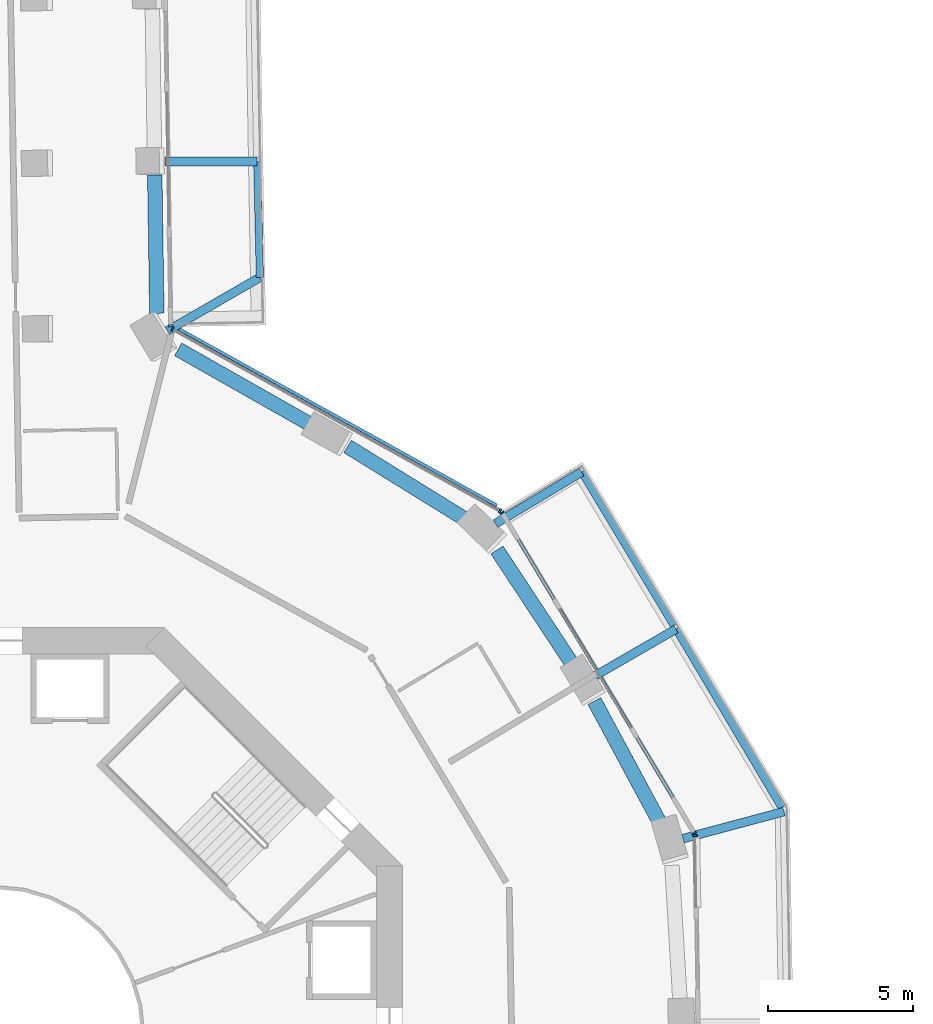
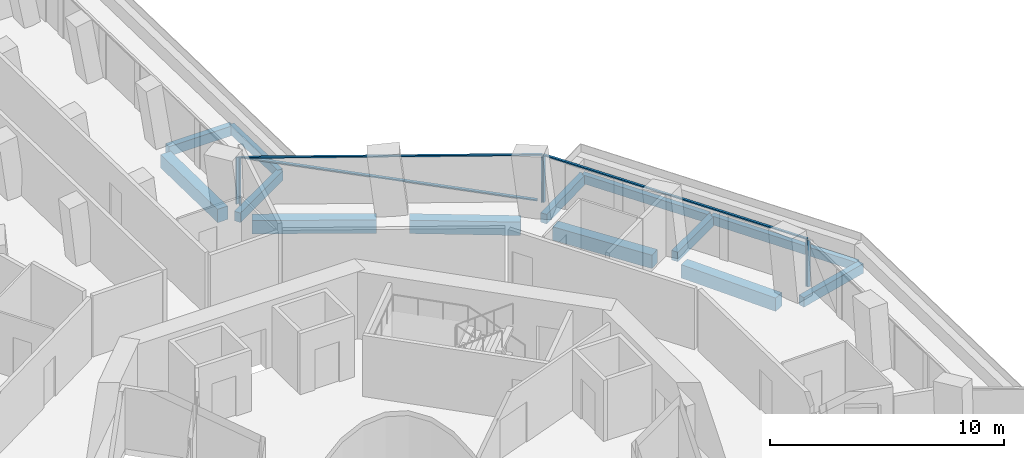
# One storey, part 9 of 25: 13 beams, 9 members, 4 elements without a shape of their own.
"""IFC4 building model written with IfcOpenShell, lengths in metres."""

from ifc_helpers import new_model, si_unit, direction, frame, origin, origin_2d, place, context, subcontext, project, spatial, rectangle, extrude, material, layer, layer_set, material_profile, profile_set, type_object, element, aggregate, save


model = new_model("IFC4")

# Units and contexts
model_context = context("Model", 3, precision=1e-05, world=origin(), true_north=direction((0.0, 1.0)))
body_context = subcontext(model_context, "Body", "Model", "MODEL_VIEW")
ifc_project = project(units=[si_unit("LENGTHUNIT", "METRE"), si_unit("AREAUNIT", "SQUARE_METRE"), si_unit("VOLUMEUNIT", "CUBIC_METRE"), si_unit("PLANEANGLEUNIT", "RADIAN"), si_unit("MASSUNIT", "GRAM", prefix="KILO")], contexts=[model_context])

# Site, building, storey
site_placement = place(None, origin())
site = spatial("IfcSite", under=ifc_project, at=site_placement, CompositionType="ELEMENT")
building_placement = place(site_placement, origin())
building = spatial("IfcBuilding", under=site, at=building_placement, Name="Verdalira Terraces Hotel", CompositionType="ELEMENT")
storey_placement = place(building_placement, frame((0.0, 0.0, 39.0)))
storey = spatial("IfcBuildingStorey", under=building, at=storey_placement, Name="L07", CompositionType="ELEMENT", Elevation=39.0)

# Beams
ifc_material_1 = material(Name="Concrete C40", Category="concrete")
ifc_material_profile_1 = material_profile(ifc_material_1, rectangle(XDim=0.300049, YDim=0.5, at=origin_2d()), Name="RC 300X500")
ifc_profile_set_1 = profile_set([ifc_material_profile_1], Name="Concrete C40")
beam_type_1 = type_object("IfcBeamType", Name="Balcony cantilever beam RC 300X500 C40", PredefinedType="BEAM", material=ifc_profile_set_1)
beam_1_placement = place(storey_placement, frame((5.913086, 24.226562, -0.560059), z_axis=(0.866039286, 0.499975954, 0.0), x_axis=(-0.499975954, 0.866039286, 0.0)))
element("IfcBeam", 1, at=beam_1_placement, inside=storey, type_object=beam_type_1, Name="Balcony cantilever beam R00-1", PredefinedType="BEAM", context=body_context, shape_type="SweptSolid", body=[
    extrude(rectangle(XDim=0.300049, YDim=0.5, at=origin_2d()), origin(), (0.0, 0.0, 1.0), 3.668213),
])
beam_2_placement = place(storey_placement, frame((5.828369, 30.053223, -0.560059), z_axis=(1.0, 0.0, 0.0), x_axis=(0.0, 1.0, 0.0)))
element("IfcBeam", 2, at=beam_2_placement, inside=storey, type_object=beam_type_1, Name="Balcony cantilever beam R00-2", PredefinedType="BEAM", context=body_context, shape_type="SweptSolid", body=[
    extrude(rectangle(XDim=0.300049, YDim=0.5, at=origin_2d()), origin(), (0.0, 0.0, 1.0), 3.169434),
])
beam_3_placement = place(storey_placement, frame((23.661621, 6.733154, -0.560059), z_axis=(0.965929287, 0.258806127, 0.0), x_axis=(-0.258806127, 0.965929287, 0.0)))
element("IfcBeam", 3, at=beam_3_placement, inside=storey, type_object=beam_type_1, Name="Balcony cantilever beam R39-3", PredefinedType="BEAM", context=body_context, shape_type="SweptSolid", body=[
    extrude(rectangle(XDim=0.300049, YDim=0.5, at=origin_2d()), origin(), (0.0, 0.0, 1.0), 3.600586),
])
beam_4_placement = place(storey_placement, frame((20.646973, 12.348877, -0.560059), z_axis=(0.866033164, 0.499986559, 0.0), x_axis=(-0.499986559, 0.866033164, 0.0)))
element("IfcBeam", 4, at=beam_4_placement, inside=storey, type_object=beam_type_1, Name="Balcony cantilever beam R39-4", PredefinedType="BEAM", context=body_context, shape_type="SweptSolid", body=[
    extrude(rectangle(XDim=0.300049, YDim=0.5, at=origin_2d()), origin(), (0.0, 0.0, 1.0), 3.200684),
])
beam_5_placement = place(storey_placement, frame((17.20459, 17.582275, -0.560059), z_axis=(0.857517828, 0.514454249, 0.0), x_axis=(-0.514454249, 0.857517828, 0.0)))
element("IfcBeam", 5, at=beam_5_placement, inside=storey, type_object=beam_type_1, Name="Balcony cantilever beam R39-5", PredefinedType="BEAM", context=body_context, shape_type="SweptSolid", body=[
    extrude(rectangle(XDim=0.300049, YDim=0.5, at=origin_2d()), origin(), (0.0, 0.0, 1.0), 3.459961),
])
ifc_material_2 = material(Name="Concrete C40", Category="concrete")
ifc_material_profile_2 = material_profile(ifc_material_2, rectangle(XDim=0.25, YDim=0.449951, at=origin_2d()), Name="RC 250X450")
ifc_profile_set_2 = profile_set([ifc_material_profile_2], Name="Concrete C40")
beam_type_2 = type_object("IfcBeamType", Name="Balcony edge beam RC 250X450 C40", PredefinedType="BEAM", material=ifc_profile_set_2)
beam_6_placement = place(storey_placement, frame((9.089844, 26.060547, -0.534912), z_axis=(-0.023046341, 0.999734398, 0.0), x_axis=(-0.999734398, -0.023046341, 0.0)))
element("IfcBeam", 6, at=beam_6_placement, inside=storey, type_object=beam_type_2, Name="Balcony edge beam R00-1", PredefinedType="BEAM", context=body_context, shape_type="SweptSolid", body=[
    extrude(rectangle(XDim=0.25, YDim=0.449951, at=origin_2d()), origin(), (0.0, 0.0, 1.0), 3.993652),
])
beam_7_placement = place(storey_placement, frame((27.060303, 7.799072, -0.534912), z_axis=(-0.509473703, 0.860486226, 0.0), x_axis=(-0.860486226, -0.509473703, 0.0)))
element("IfcBeam", 7, at=beam_7_placement, inside=storey, type_object=beam_type_2, Name="Balcony edge beam R39-3", PredefinedType="BEAM", context=body_context, shape_type="SweptSolid", body=[
    extrude(rectangle(XDim=0.25, YDim=0.449951, at=origin_2d()), origin(), (0.0, 0.0, 1.0), 7.147217),
])
beam_8_placement = place(storey_placement, frame((23.341797, 14.077881, -0.534912), z_axis=(-0.514437493, 0.857527881, 0.0), x_axis=(-0.857527881, -0.514437493, 0.0)))
element("IfcBeam", 8, at=beam_8_placement, inside=storey, type_object=beam_type_2, Name="Balcony edge beam R39-4", PredefinedType="BEAM", context=body_context, shape_type="SweptSolid", body=[
    extrude(rectangle(XDim=0.25, YDim=0.449951, at=origin_2d()), origin(), (0.0, 0.0, 1.0), 6.162354),
])

# Curtain wall, member
ifc_material_3 = material(Name="Clear glass", Category="glass")
ifc_layer_1 = layer(ifc_material_3, 0.14990234375)
ifc_layer_set_1 = layer_set([ifc_layer_1], Name="CW1 curtain wall")
curtain_wall_type_1 = type_object("IfcCurtainWallType", Name="CW1 curtain wall", PredefinedType="NOTDEFINED", material=ifc_layer_set_1)
curtain_wall_1_placement = place(storey_placement, origin())
curtain_wall_1 = element("IfcCurtainWall", 9, at=curtain_wall_1_placement, inside=storey, type_object=curtain_wall_type_1, Name="CW1 curtain wall L07 edge 39", PredefinedType="NOTDEFINED")
ifc_material_4 = material(Name="Terracotta frame", Category="masonry")
ifc_material_profile_3 = material_profile(ifc_material_4, rectangle(XDim=0.060059, YDim=0.149902, at=origin_2d()), Name="MU 60x150")
ifc_profile_set_3 = profile_set([ifc_material_profile_3], Name="Terracotta frame")
member_type_1 = type_object("IfcMemberType", Name="CW1 mullion 60x150", PredefinedType="MULLION", material=ifc_profile_set_3)
member_1_placement = place(storey_placement, frame((24.072266, 6.833984, 0.0), z_axis=(0.0, 0.0, 1.0), x_axis=(-0.016754377, 0.999859636, 0.0)))
member_1 = element("IfcMember", 10, at=member_1_placement, type_object=member_type_1, Name="CW1 mullion", PredefinedType="MULLION", context=body_context, shape_type="SweptSolid", body=[
    extrude(rectangle(XDim=0.060059, YDim=0.149902, at=origin_2d()), origin(), (0.0, 0.0, 1.0), 2.425049),
])
aggregate(curtain_wall_1, [member_1])

# Curtain wall, members
curtain_wall_2_placement = place(storey_placement, origin())
curtain_wall_2 = element("IfcCurtainWall", 11, at=curtain_wall_2_placement, inside=storey, type_object=curtain_wall_type_1, Name="CW1 curtain wall L07 edge 40", PredefinedType="NOTDEFINED")
member_2_placement = place(storey_placement, frame((24.045654, 6.927246, 0.0), z_axis=(0.0, 0.0, 1.0), x_axis=(-0.514439534, 0.857526656, 0.0)))
member_2 = element("IfcMember", 12, at=member_2_placement, type_object=member_type_1, Name="CW1 mullion", PredefinedType="MULLION", context=body_context, shape_type="SweptSolid", body=[
    extrude(rectangle(XDim=0.060059, YDim=0.149902, at=origin_2d()), origin(), (0.0, 0.0, 1.0), 2.425049),
])
member_3_placement = place(storey_placement, frame((17.430176, 17.95459, 0.0), z_axis=(0.0, 0.0, 1.0), x_axis=(-0.514439534, 0.857526656, 0.0)))
member_3 = element("IfcMember", 13, at=member_3_placement, type_object=member_type_1, Name="CW1 mullion", PredefinedType="MULLION", context=body_context, shape_type="SweptSolid", body=[
    extrude(rectangle(XDim=0.060059, YDim=0.149902, at=origin_2d()), origin(), (0.0, 0.0, 1.0), 2.425049),
])

curtain_wall_3_placement = place(storey_placement, origin())
curtain_wall_3 = element("IfcCurtainWall", 14, at=curtain_wall_3_placement, inside=storey, type_object=curtain_wall_type_1, Name="CW1 curtain wall L07 edge 41", PredefinedType="NOTDEFINED")
member_4_placement = place(storey_placement, frame((17.360596, 18.021973, 0.0), z_axis=(0.0, 0.0, 1.0), x_axis=(-0.874281033, 0.485420102, 0.0)))
member_4 = element("IfcMember", 15, at=member_4_placement, type_object=member_type_1, Name="CW1 mullion", PredefinedType="MULLION", context=body_context, shape_type="SweptSolid", body=[
    extrude(rectangle(XDim=0.060059, YDim=0.149902, at=origin_2d()), origin(), (0.0, 0.0, 1.0), 2.425049),
])
member_5_placement = place(storey_placement, frame((6.08252, 24.283691, 0.0), z_axis=(0.0, 0.0, 1.0), x_axis=(-0.874281033, 0.485420102, 0.0)))
member_5 = element("IfcMember", 16, at=member_5_placement, type_object=member_type_1, Name="CW1 mullion", PredefinedType="MULLION", context=body_context, shape_type="SweptSolid", body=[
    extrude(rectangle(XDim=0.060059, YDim=0.149902, at=origin_2d()), origin(), (0.0, 0.0, 1.0), 2.425049),
])

# Member
ifc_material_5 = material(Name="Terracotta frame", Category="masonry")
ifc_material_profile_4 = material_profile(ifc_material_5, rectangle(XDim=0.110107, YDim=0.064941, at=origin_2d()), Name="TR 65x110")
ifc_profile_set_4 = profile_set([ifc_material_profile_4], Name="Terracotta frame")
member_type_2 = type_object("IfcMemberType", Name="CW1 transom 65x110", PredefinedType="USERDEFINED", material=ifc_profile_set_4)
member_6_placement = place(storey_placement, frame((24.061035, 6.901367, 2.45752), z_axis=(-0.514448512, 0.85752127, 0.0), x_axis=(-0.85752127, -0.514448512, 0.0)))
member_6 = element("IfcMember", 17, at=member_6_placement, type_object=member_type_2, Name="CW1 transom", ObjectType="TRANSOM", PredefinedType="USERDEFINED", context=body_context, shape_type="SweptSolid", body=[
    extrude(rectangle(XDim=0.110107, YDim=0.064941, at=origin_2d()), origin(), (0.0, 0.0, 1.0), 12.919678),
])

aggregate(curtain_wall_2, [member_2, member_3, member_6])

member_7_placement = place(storey_placement, frame((17.386719, 18.007324, 2.45752), z_axis=(-0.874279874, 0.485422189, 0.0), x_axis=(-0.485422189, -0.874279874, 0.0)))
member_7 = element("IfcMember", 18, at=member_7_placement, type_object=member_type_2, Name="CW1 transom", ObjectType="TRANSOM", PredefinedType="USERDEFINED", context=body_context, shape_type="SweptSolid", body=[
    extrude(rectangle(XDim=0.110107, YDim=0.064941, at=origin_2d()), origin(), (0.0, 0.0, 1.0), 12.959961),
])

# Curtain wall, member
ifc_material_6 = material(Name="Clear glass", Category="glass")
ifc_layer_2 = layer(ifc_material_6, 0.14990234375)
ifc_layer_set_2 = layer_set([ifc_layer_2], Name="CW2 curtain wall")
curtain_wall_type_2 = type_object("IfcCurtainWallType", Name="CW2 curtain wall", PredefinedType="NOTDEFINED", material=ifc_layer_set_2)
curtain_wall_4_placement = place(storey_placement, origin())
curtain_wall_4 = element("IfcCurtainWall", 19, at=curtain_wall_4_placement, inside=storey, type_object=curtain_wall_type_2, Name="CW2 curtain wall L07 edge 0", PredefinedType="NOTDEFINED")
ifc_material_7 = material(Name="Terracotta frame", Category="masonry")
ifc_material_profile_5 = material_profile(ifc_material_7, rectangle(XDim=0.070068, YDim=0.149902, at=origin_2d()), Name="MU 70x150")
ifc_profile_set_5 = profile_set([ifc_material_profile_5], Name="Terracotta frame")
member_type_3 = type_object("IfcMemberType", Name="CW2 mullion 70x150", PredefinedType="MULLION", material=ifc_profile_set_5)
member_8_placement = place(storey_placement, frame((6.01709, 24.397461, 0.0), z_axis=(0.0, 0.0, 1.0), x_axis=(-0.016754377, 0.999859636, 0.0)))
member_8 = element("IfcMember", 20, at=member_8_placement, type_object=member_type_3, Name="CW2 mullion", PredefinedType="MULLION", context=body_context, shape_type="SweptSolid", body=[
    extrude(rectangle(XDim=0.070068, YDim=0.149902, at=origin_2d()), origin(), (0.0, 0.0, 1.0), 2.425049),
])
aggregate(curtain_wall_4, [member_8])

# Member
ifc_material_8 = material(Name="Terracotta frame", Category="masonry")
ifc_material_profile_6 = material_profile(ifc_material_8, rectangle(XDim=0.149902, YDim=0.060059, at=origin_2d()), Name="GB 60x150")
ifc_profile_set_6 = profile_set([ifc_material_profile_6], Name="Terracotta frame")
member_type_4 = type_object("IfcMemberType", Name="Diagonal glazing bar 60x150", PredefinedType="USERDEFINED", material=ifc_profile_set_6)
member_9_placement = place(storey_placement, frame((17.239258, 18.190918, 0.029785), z_axis=(-0.859087788, 0.476992174, 0.185598055), x_axis=(-0.485426089, -0.874277709, 0.0)))
member_9 = element("IfcMember", 21, at=member_9_placement, type_object=member_type_4, Name="Diagonal glazing bar", ObjectType="GLAZING BAR", PredefinedType="USERDEFINED", context=body_context, shape_type="SweptSolid", body=[
    extrude(rectangle(XDim=0.149902, YDim=0.060059, at=origin_2d()), origin(), (0.0, 0.0, 1.0), 12.745117),
])

aggregate(curtain_wall_3, [member_4, member_5, member_7, member_9])

# Beams
ifc_material_9 = material(Name="Concrete C70", Category="concrete")
ifc_material_profile_7 = material_profile(ifc_material_9, rectangle(XDim=0.5, YDim=0.699951, at=origin_2d()), Name="RC 500X700")
ifc_profile_set_7 = profile_set([ifc_material_profile_7], Name="Concrete C70")
beam_type_3 = type_object("IfcBeamType", Name="Spandrel beam RC 500X700 C70", PredefinedType="SPANDREL", material=ifc_profile_set_7)
beam_9_placement = place(storey_placement, frame((5.539551, 24.825195, -0.659912), z_axis=(-0.014545406, 0.99989421, 0.0), x_axis=(-0.99989421, -0.014545406, 0.0)))
element("IfcBeam", 22, at=beam_9_placement, inside=storey, type_object=beam_type_3, Name="Spandrel beam B01", PredefinedType="SPANDREL", context=body_context, shape_type="SweptSolid", body=[
    extrude(rectangle(XDim=0.5, YDim=0.699951, at=origin_2d()), origin(), (0.0, 0.0, 1.0), 4.766846),
])
beam_10_placement = place(storey_placement, frame((22.863037, 7.280273, -0.659912), z_axis=(-0.473610273, 0.880734528, 0.0), x_axis=(-0.880734528, -0.473610273, 0.0)))
element("IfcBeam", 23, at=beam_10_placement, inside=storey, type_object=beam_type_3, Name="Spandrel beam B32", PredefinedType="SPANDREL", context=body_context, shape_type="SweptSolid", body=[
    extrude(rectangle(XDim=0.5, YDim=0.699951, at=origin_2d()), origin(), (0.0, 0.0, 1.0), 4.759033),
])
beam_11_placement = place(storey_placement, frame((19.871826, 12.705811, -0.659912), z_axis=(-0.550439446, 0.83487509, 0.0), x_axis=(-0.83487509, -0.550439446, 0.0)))
element("IfcBeam", 24, at=beam_11_placement, inside=storey, type_object=beam_type_3, Name="Spandrel beam B33", PredefinedType="SPANDREL", context=body_context, shape_type="SweptSolid", body=[
    extrude(rectangle(XDim=0.5, YDim=0.699951, at=origin_2d()), origin(), (0.0, 0.0, 1.0), 4.755127),
])
beam_12_placement = place(storey_placement, frame((16.159912, 17.736328, -0.659912), z_axis=(-0.850513215, 0.525953678, 0.0), x_axis=(-0.525953678, -0.850513215, 0.0)))
element("IfcBeam", 25, at=beam_12_placement, inside=storey, type_object=beam_type_3, Name="Spandrel beam B34", PredefinedType="SPANDREL", context=body_context, shape_type="SweptSolid", body=[
    extrude(rectangle(XDim=0.5, YDim=0.699951, at=origin_2d()), origin(), (0.0, 0.0, 1.0), 4.759277),
])
beam_13_placement = place(storey_placement, frame((10.893799, 20.961914, -0.659912), z_axis=(-0.869634182, 0.493696657, 0.0), x_axis=(-0.493696657, -0.869634182, 0.0)))
element("IfcBeam", 26, at=beam_13_placement, inside=storey, type_object=beam_type_3, Name="Spandrel beam B35", PredefinedType="SPANDREL", context=body_context, shape_type="SweptSolid", body=[
    extrude(rectangle(XDim=0.5, YDim=0.699951, at=origin_2d()), origin(), (0.0, 0.0, 1.0), 5.311523),
])

save(model, "model.ifc")
